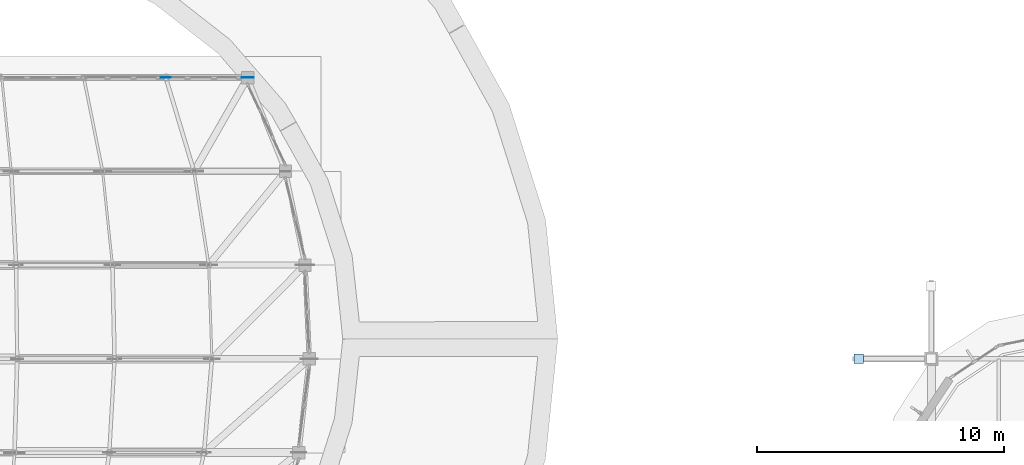
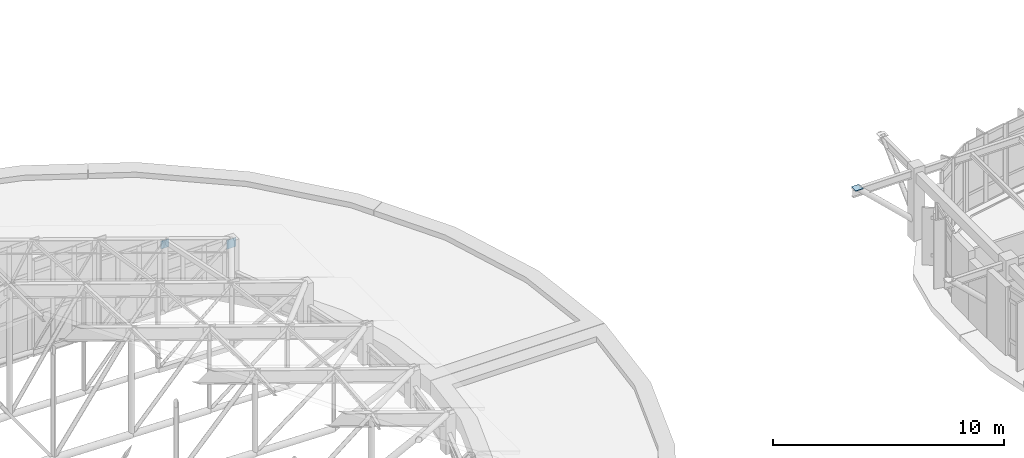
# One storey, part 78 of 105: 3 plates.
"""IFC4 building model written with IfcOpenShell, lengths in metres."""

from ifc_helpers import new_model, si_unit, direction, frame, origin, origin_2d, place, context, subcontext, project, spatial, rectangle, extrude, material, layer, layer_set, type_object, element, save


model = new_model("IFC4")

# Units and contexts
model_context = context("Model", 3, precision=1e-05, world=origin(), true_north=direction((0.0, 1.0)))
body_context = subcontext(model_context, "Body", "Model", "MODEL_VIEW")
ifc_project = project(units=[si_unit("LENGTHUNIT", "METRE"), si_unit("AREAUNIT", "SQUARE_METRE"), si_unit("VOLUMEUNIT", "CUBIC_METRE"), si_unit("PLANEANGLEUNIT", "RADIAN"), si_unit("MASSUNIT", "GRAM", prefix="KILO")], contexts=[model_context])

# Site, building, storey
site_placement = place(None, origin())
site = spatial("IfcSite", under=ifc_project, at=site_placement, CompositionType="ELEMENT")
building_placement = place(site_placement, origin())
building = spatial("IfcBuilding", under=site, at=building_placement, Name="Corveleigh Park Community Centre", CompositionType="ELEMENT")
storey_placement = place(building_placement, frame((0.0, 0.0, 8.699951171875)))
storey = spatial("IfcBuildingStorey", under=building, at=storey_placement, Name="L02", CompositionType="ELEMENT", Elevation=8.699951171875)

# Plates
ifc_material = material(Name="Steel S355", Category="steel")
ifc_layer_1 = layer(ifc_material, 0.02197265625, Name="Steel S355", Category="steel")
ifc_layer_set_1 = layer_set([ifc_layer_1], Name="Steel S355")
plate_type_1 = type_object("IfcPlateType", Name="PLT-CAP-22", PredefinedType="SHEET", material=ifc_layer_set_1)
plate_1_placement = place(storey_placement, frame((40.968017578125, 38.199951171875, 3.404296875), z_axis=(0.0, 0.0, 1.0), x_axis=(1.0, 0.0, 0.0)))
element("IfcPlate", 1, at=plate_1_placement, inside=storey, type_object=plate_type_1, Name="V1 Truss T7 Gusset", PredefinedType="SHEET", context=body_context, shape_type="SweptSolid", body=[
    extrude(rectangle(XDim=0.419921875, YDim=0.02197265625, at=origin_2d()), origin(), (0.0, 0.0, 1.0), 0.419921875),
])
ifc_layer_2 = layer(ifc_material, 0.028076171875, Name="Steel S355", Category="steel")
ifc_layer_set_2 = layer_set([ifc_layer_2], Name="Steel S355")
plate_type_2 = type_object("IfcPlateType", Name="PLT-CAP-28", PredefinedType="SHEET", material=ifc_layer_set_2)
plate_2_placement = place(storey_placement, frame((44.2900390625, 38.199951171875, 2.2392578125), z_axis=(0.0, 0.0, 1.0), x_axis=(1.0, 0.0, 0.0)))
element("IfcPlate", 2, at=plate_2_placement, inside=storey, type_object=plate_type_2, Name="V1 Truss T7 Gusset", PredefinedType="SHEET", context=body_context, shape_type="SweptSolid", body=[
    extrude(rectangle(XDim=0.47998046875, YDim=0.028076171875, at=origin_2d()), origin(), (0.0, 0.0, 1.0), 0.47998046875),
])
plate_3_placement = place(storey_placement, frame((69.055908203125, 26.800048828125, 3.64306640625), z_axis=(0.0, 0.0, 1.0), x_axis=(1.0, 0.0, 0.0)))
element("IfcPlate", 3, at=plate_3_placement, inside=storey, type_object=plate_type_2, Name="V3 End Pebble Overhang Strut 0-2 tip cap", PredefinedType="SHEET", context=body_context, shape_type="SweptSolid", body=[
    extrude(rectangle(XDim=0.3798828125, YDim=0.3798828125, at=origin_2d()), origin(), (0.0, 0.0, 1.0), 0.028076171875),
])

save(model, "model.ifc")
